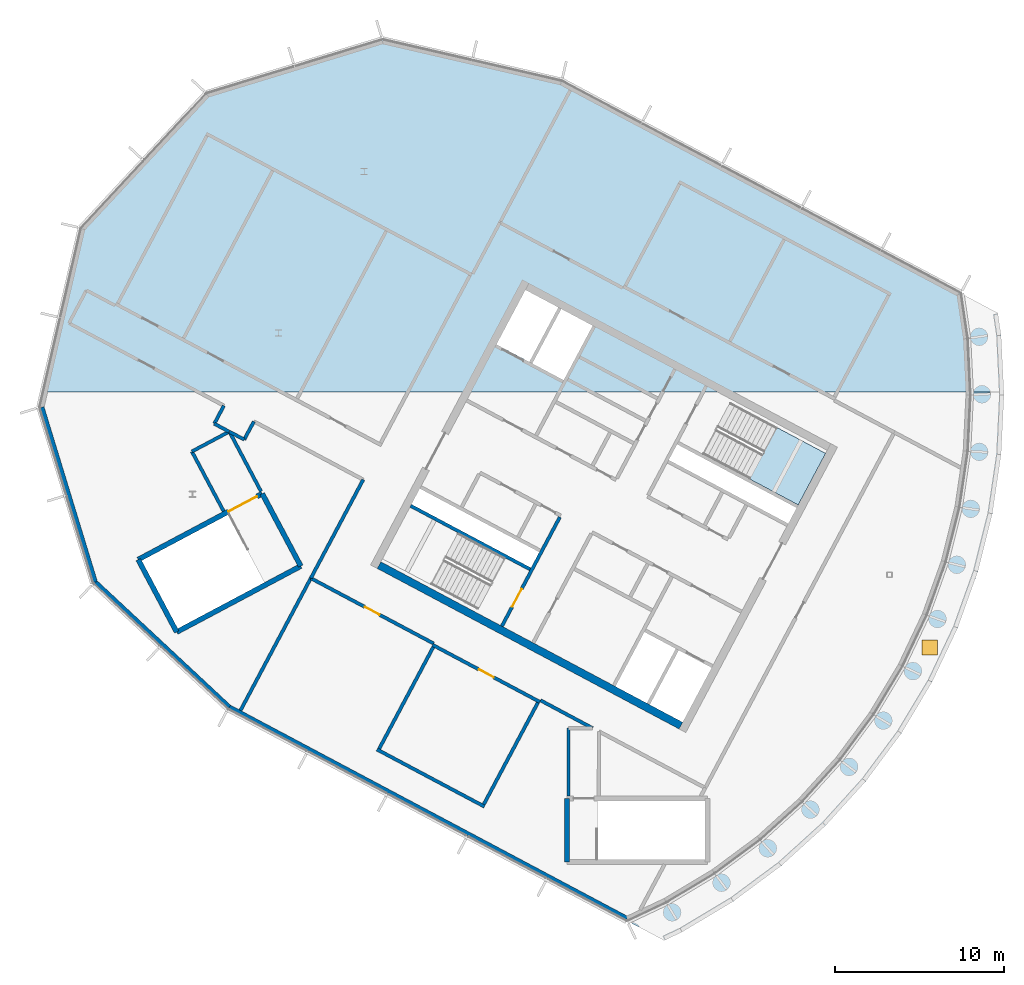
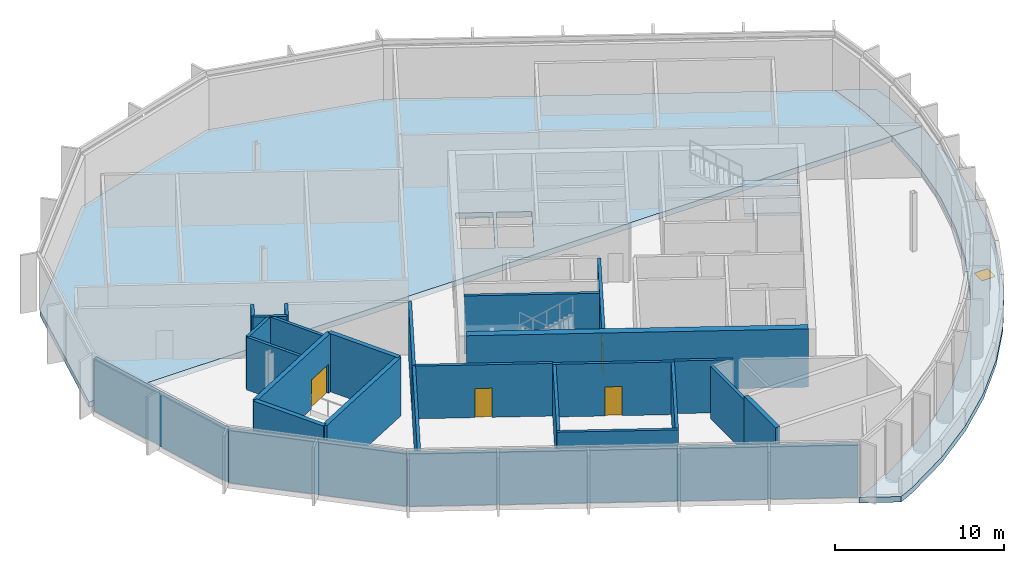
# One storey, part 5 of 13: 27 walls, 5 doors, 4 slabs, 5 openings, 1 element without a shape of its own.
"""IFC4 building model written with IfcOpenShell, lengths in metres."""

import ifcopenshell
import ifcopenshell.guid

model = None  # the IFC model being written
_history = None  # IfcOwnerHistory: only IFC2X3 demands one
_inside = {}  # id of a spatial element -> (the spatial element, [elements in it])
_under = {}  # id of a project, library or spatial element -> (it, [spatial elements below it])
_declared = {}  # id of a project -> (the project, [libraries it declares])
_typed = {}  # id of a type object -> (the type object, [elements of that type])
_made_of = {}  # id of a material, layer set ... -> (it, [elements and type objects made of it])


def new_model(schema):
    """Start an empty IFC model of exactly this schema.

    Asked for "IFC4X3", IfcOpenShell would pick the latest addendum, in which some entities
    have other attributes; the version numbers below select the first issue.
    IFC2X3 requires an IfcOwnerHistory on every rooted entity: one is made here for all.
    """
    global model, _history
    if schema == "IFC4X3":
        model = ifcopenshell.file(schema_version=(4, 3, 0, 0))
    else:
        model = ifcopenshell.file(schema=schema)
    _inside.clear()
    _under.clear()
    _declared.clear()
    _typed.clear()
    _made_of.clear()
    _history = None
    if model.schema == "IFC2X3":
        org = make("IfcOrganization", Name="unknown")
        user = make(
            "IfcPersonAndOrganization",
            ThePerson=make("IfcPerson", FamilyName="unknown"),
            TheOrganization=org,
        )
        app = make(
            "IfcApplication",
            ApplicationDeveloper=org,
            Version="unknown",
            ApplicationFullName="unknown",
            ApplicationIdentifier="unknown",
        )
        _history = make(
            "IfcOwnerHistory",
            OwningUser=user,
            OwningApplication=app,
            ChangeAction="ADDED",
            CreationDate=0,
        )
    return model


def make(cls, **values):
    """One entity of the class cls with the attributes given. An attribute that is None is left unset."""
    return model.create_entity(
        cls, **{name: value for name, value in values.items() if value is not None}
    )


def rooted(cls, **values):
    """An entity with a GlobalId (a new one), such as an element, a storey or a relation."""
    return make(cls, GlobalId=ifcopenshell.guid.new(), OwnerHistory=_history, **values)


def si_unit(unit_type, name, prefix=None):
    """IfcSIUnit, for example si_unit("LENGTHUNIT", "METRE", prefix="MILLI")."""
    return make("IfcSIUnit", UnitType=unit_type, Prefix=prefix, Name=name)


def assignment(units):
    """IfcUnitAssignment: the units of a project."""
    return None if units is None else make("IfcUnitAssignment", Units=units)


def point(xyz):
    """IfcCartesianPoint."""
    return None if xyz is None else make("IfcCartesianPoint", Coordinates=xyz)


def direction(xyz):
    """IfcDirection."""
    return None if xyz is None else make("IfcDirection", DirectionRatios=xyz)


def frame(location, z_axis=None, x_axis=None):
    """IfcAxis2Placement3D, a coordinate frame: its origin and axes. An axis left out is left unset."""
    return make(
        "IfcAxis2Placement3D",
        Location=point(location),
        Axis=direction(z_axis),
        RefDirection=direction(x_axis),
    )


def frame_2d(location, x_axis=None):
    """IfcAxis2Placement2D, a coordinate frame in the plane: its origin and x axis."""
    return make(
        "IfcAxis2Placement2D", Location=point(location), RefDirection=direction(x_axis)
    )


def origin():
    """The frame at (0, 0, 0) with its axes left unset."""
    return frame((0.0, 0.0, 0.0))


def origin_2d():
    """The frame at (0, 0) in the plane with its x axis left unset."""
    return frame_2d((0.0, 0.0))


def place(relative_to, where):
    """IfcLocalPlacement: puts the frame where relative to a parent placement (None: the world)."""
    return make(
        "IfcLocalPlacement", PlacementRelTo=relative_to, RelativePlacement=where
    )


def context(
    kind, dimensions, precision=None, world=None, true_north=None, identifier=None
):
    """IfcGeometricRepresentationContext, for example the 3D "Model" context."""
    return make(
        "IfcGeometricRepresentationContext",
        ContextIdentifier=identifier,
        ContextType=kind,
        CoordinateSpaceDimension=dimensions,
        Precision=precision,
        WorldCoordinateSystem=world,
        TrueNorth=true_north,
    )


def subcontext(parent, identifier, kind, view, scale=None):
    """IfcGeometricRepresentationSubContext, for example "Body" below "Model"."""
    return make(
        "IfcGeometricRepresentationSubContext",
        ContextIdentifier=identifier,
        ContextType=kind,
        ParentContext=parent,
        TargetScale=scale,
        TargetView=view,
    )


def project(units=None, contexts=None):
    """IfcProject with its units and contexts."""
    return rooted(
        "IfcProject",
        Name="project",
        RepresentationContexts=contexts,
        UnitsInContext=assignment(units),
    )


def spatial(cls, under=None, at=None, **own):
    """A site, building, storey or space (cls), placed at a placement, below another one or the project."""
    s = rooted(cls, ObjectPlacement=at, **own)
    if under is not None:
        _under.setdefault(under.id(), (under, []))[1].append(s)
    return s


def polyline(points):
    """IfcPolyline through the points."""
    return make("IfcPolyline", Points=[point(p) for p in points])


def profile(cls, at=None, kind="AREA", **sizes):
    """A parametric profile (cls). Its sizes go by their IFC names, for example OverallWidth=200.0."""
    return make(cls, ProfileType=kind, Position=at, **sizes)


def rectangle(**sizes):
    """IfcRectangleProfileDef."""
    return profile("IfcRectangleProfileDef", **sizes)


def outline(outer, holes=None, kind="AREA"):
    """IfcArbitraryClosedProfileDef: a profile drawn as a closed curve; with holes, ...WithVoids."""
    if holes is None:
        return make("IfcArbitraryClosedProfileDef", ProfileType=kind, OuterCurve=outer)
    return make(
        "IfcArbitraryProfileDefWithVoids",
        ProfileType=kind,
        OuterCurve=outer,
        InnerCurves=holes,
    )


def extrude(swept, where, along, depth):
    """IfcExtrudedAreaSolid: the profile swept, set in the frame where, extruded along a direction by depth."""
    return make(
        "IfcExtrudedAreaSolid",
        SweptArea=swept,
        Position=where,
        ExtrudedDirection=direction(along),
        Depth=depth,
    )


def shape(context_of_items, identifier, shape_type, items):
    """IfcShapeRepresentation: the items that make up one representation, for example the "Body"."""
    return make(
        "IfcShapeRepresentation",
        ContextOfItems=context_of_items,
        RepresentationIdentifier=identifier,
        RepresentationType=shape_type,
        Items=items,
    )


def material(Name=None, Category=None):
    """IfcMaterial."""
    return make("IfcMaterial", Name=Name, Category=Category)


def layer(
    of_material, thickness, ventilated=None, Name=None, Category=None, Priority=None
):
    """IfcMaterialLayer: one layer of a wall or slab, of a material (None: an air gap)."""
    return make(
        "IfcMaterialLayer",
        Material=of_material,
        LayerThickness=thickness,
        IsVentilated=ventilated,
        Name=Name,
        Category=Category,
        Priority=Priority,
    )


def layer_set(layers, Name=None):
    """IfcMaterialLayerSet."""
    return make("IfcMaterialLayerSet", MaterialLayers=layers, LayerSetName=Name)


def made_of(thing, what):
    """Note that an element or type object is made of a material, layer set ...; save() writes the relation."""
    if what is not None:
        _made_of.setdefault(what.id(), (what, []))[1].append(thing)
    return thing


def type_object(cls, material=None, **own):
    """A type object (cls), such as IfcWallType, which elements share."""
    return made_of(rooted(cls, **own), material)


def element(
    cls,
    number,
    at=None,
    inside=None,
    cuts=None,
    type_object=None,
    material=None,
    context=None,
    identifier="Body",
    shape_type=None,
    held_by="IfcProductDefinitionShape",
    body=None,
    shapes=None,
    **own,
):
    """One element of the class cls, such as IfcWall. Its Tag is "e" and its number.

    at: its placement. inside: the storey or other place that contains it. cuts: it is an
    opening in that element (IfcRelVoidsElement). A single representation is given by context,
    identifier, shape_type and body (its items); several are given by shapes. held_by: the class
    of the entity that holds the representations. save() writes the other relations.
    """
    e = rooted(cls, Tag="e%d" % number, ObjectPlacement=at, **own)
    if body is not None:
        shapes = [shape(context, identifier, shape_type, body)]
    if shapes is not None:
        e.Representation = make(held_by, Representations=shapes)
    if inside is not None:
        _inside.setdefault(inside.id(), (inside, []))[1].append(e)
    if cuts is not None:
        rooted(
            "IfcRelVoidsElement", RelatingBuildingElement=cuts, RelatedOpeningElement=e
        )
    if type_object is not None:
        _typed.setdefault(type_object.id(), (type_object, []))[1].append(e)
    return made_of(e, material)


def fill(opening, filler):
    """IfcRelFillsElement: the door or window that sits in an opening."""
    return rooted(
        "IfcRelFillsElement",
        RelatingOpeningElement=opening,
        RelatedBuildingElement=filler,
    )


def aggregate(whole, parts):
    """IfcRelAggregates: a whole, such as a stair, and the parts it consists of."""
    return rooted("IfcRelAggregates", RelatingObject=whole, RelatedObjects=parts)


def save(model, path):
    """Write the relations noted so far, then the file.

    IfcRelAggregates (storeys below a building ...), IfcRelContainedInSpatialStructure (elements
    in a storey), IfcRelDefinesByType, IfcRelAssociatesMaterial and IfcRelDeclares: one each for
    every whole, place, type object, material and project.
    """
    for whole, parts in _under.values():
        aggregate(whole, parts)
    for where, things in _inside.values():
        rooted(
            "IfcRelContainedInSpatialStructure",
            RelatedElements=things,
            RelatingStructure=where,
        )
    for kind, things in _typed.values():
        rooted("IfcRelDefinesByType", RelatedObjects=things, RelatingType=kind)
    for what, things in _made_of.values():
        rooted("IfcRelAssociatesMaterial", RelatedObjects=things, RelatingMaterial=what)
    for by, libraries in _declared.values():
        rooted("IfcRelDeclares", RelatingContext=by, RelatedDefinitions=libraries)
    model.write(path)


model = new_model("IFC4")

# Units and contexts
model_context = context("Model", 3, precision=1e-05, world=origin(), true_north=direction((0.0, 1.0)))
body_context = subcontext(model_context, "Body", "Model", "MODEL_VIEW")
ifc_project = project(units=[si_unit("LENGTHUNIT", "METRE"), si_unit("AREAUNIT", "SQUARE_METRE"), si_unit("VOLUMEUNIT", "CUBIC_METRE"), si_unit("PLANEANGLEUNIT", "RADIAN"), si_unit("MASSUNIT", "GRAM", prefix="KILO")], contexts=[model_context])

# Site, building, storey
site_placement = place(None, origin())
site = spatial("IfcSite", under=ifc_project, at=site_placement, CompositionType="ELEMENT")
building_placement = place(site_placement, origin())
building = spatial("IfcBuilding", under=site, at=building_placement, Name="Cormorant Relay Tower", CompositionType="ELEMENT")
storey_placement = place(building_placement, frame((0.0, 0.0, 353.39990234375)))
storey = spatial("IfcBuildingStorey", under=building, at=storey_placement, Name="C7", CompositionType="ELEMENT", Elevation=353.39990234375)

# Slab
ifc_material_1 = material(Name="Concrete 40 MPa", Category="concrete")
ifc_layer_1 = layer(ifc_material_1, 0.400146484375)
ifc_layer_set_1 = layer_set([ifc_layer_1], Name="Crown floor slab 400")
slab_type_1 = type_object("IfcSlabType", Name="Crown floor slab 400", PredefinedType="FLOOR", material=ifc_layer_set_1)
slab_1_placement = place(storey_placement, frame((0.0, 0.0, -0.400146484375)))
element("IfcSlab", 1, at=slab_1_placement, inside=storey, type_object=slab_type_1, Name="Crown floor C7", PredefinedType="FLOOR", context=body_context, shape_type="SweptSolid", body=[
    extrude(outline(polyline([(-60.510498046875, 21.300048828125), (-5.7412109375, 21.300048828125), (-5.896484375, 24.458740234375), (-6.29248046875, 27.1298828125), (-29.873779296875, 39.668212890625), (-40.465576171875, 42.11328125), (-50.86083984375, 38.935302734375), (-58.2744140625, 30.985107421875), (-60.510498046875, 21.300048828125)]), holes=[polyline([(-29.75732421875, 21.99462890625), (-28.043701171875, 25.217529296875), (-29.89794921875, 26.203369140625), (-31.611572265625, 22.980712890625), (-29.75732421875, 21.99462890625)]), polyline([(-33.73046875, 24.107421875), (-31.7880859375, 23.074462890625), (-30.074462890625, 26.29736328125), (-32.01708984375, 27.330078125), (-33.73046875, 24.107421875)])]), origin(), (0.0, 0.0, 1.0), 0.400146484375),
])

# Slab, opening, door
ifc_material_2 = material(Name="Concrete 40 MPa", Category="concrete")
ifc_layer_2 = layer(ifc_material_2, 0.400146484375)
ifc_layer_set_2 = layer_set([ifc_layer_2], Name="Crown terrace roof slab 400")
slab_type_2 = type_object("IfcSlabType", Name="Crown terrace roof slab 400", PredefinedType="ROOF", material=ifc_layer_set_2)
slab_2_placement = place(storey_placement, frame((0.0, 0.0, -0.400146484375)))
slab_2 = element("IfcSlab", 2, at=slab_2_placement, inside=storey, type_object=slab_type_2, Name="Roof C6", PredefinedType="ROOF", context=body_context, shape_type="SweptSolid", body=[
    extrude(outline(polyline([(-23.8154296875, -11.12109375), (-22.762451171875, -10.622802734375), (-19.732177734375, -8.806640625), (-16.89453125, -6.7021484375), (-14.27685546875, -4.32958984375), (-11.904296875, -1.7119140625), (-9.7998046875, 1.125732421875), (-7.9833984375, 4.156005859375), (-6.472900390625, 7.349609375), (-5.28271484375, 10.676025390625), (-4.42431640625, 14.10302734375), (-3.906005859375, 17.59765625), (-3.732666015625, 21.126220703125), (-3.7412109375, 21.300048828125), (-5.740234375, 21.300048828125), (-5.731689453125, 21.126220703125), (-5.731689453125, 21.126220703125), (-5.8955078125, 17.793701171875), (-5.8955078125, 17.79345703125), (-6.385009765625, 14.492919921875), (-6.385009765625, 14.492919921875), (-7.19580078125, 11.25634765625), (-7.19580078125, 11.256103515625), (-8.31982421875, 8.114501953125), (-8.31982421875, 8.114501953125), (-9.746337890625, 5.098388671875), (-9.74658203125, 5.09814453125), (-11.4619140625, 2.236328125), (-11.4619140625, 2.236083984375), (-13.449462890625, -0.443603515625), (-13.449462890625, -0.44384765625), (-15.690185546875, -2.916015625), (-15.690185546875, -2.916259765625), (-18.16259765625, -5.156982421875), (-18.16259765625, -5.156982421875), (-20.8427734375, -7.14453125), (-20.8427734375, -7.14453125), (-23.70458984375, -8.860107421875), (-23.70458984375, -8.860107421875), (-26.013916015625, -9.9521484375), (-23.8154296875, -11.12109375)])), origin(), (0.0, 0.0, 1.0), 0.400146484375),
])
opening_1_placement = place(slab_2_placement, frame((-8.1220703125, 6.197021484375, 0.0)))
opening_1 = element("IfcOpeningElement", 3, at=opening_1_placement, cuts=slab_2, Name="Opening CRD3-006", PredefinedType="OPENING", context=body_context, shape_type="SweptSolid", body=[
    extrude(rectangle(XDim=0.89990234375, YDim=0.89990234375, at=origin_2d()), origin(), (0.0, 0.0, 1.0), 0.400146484375),
])
ifc_material_3 = material(Name="Aluminium hatch", Category="aluminium")
door_type_1 = type_object("IfcDoorType", Name="Roof hatch 900 x 900", OperationType="SINGLE_SWING_LEFT", PredefinedType="TRAPDOOR", material=ifc_material_3)
door_1_placement = place(opening_1_placement, frame((0.0, 0.0, 0.35009765625)))
door_1 = element("IfcDoor", 4, at=door_1_placement, inside=storey, type_object=door_type_1, Name="Maintenance roof hatch", OperationType="SINGLE_SWING_LEFT", OverallHeight=0.89990234375, OverallWidth=0.89990234375, PredefinedType="TRAPDOOR", context=body_context, shape_type="SweptSolid", body=[
    extrude(rectangle(XDim=0.89990234375, YDim=0.89990234375, at=origin_2d()), origin(), (0.0, 0.0, 1.0), 0.050048828125),
])
fill(opening_1, door_1)

# Slab
slab_3_placement = place(storey_placement, frame((0.0, 0.0, -0.400146484375)))
element("IfcSlab", 5, at=slab_3_placement, inside=storey, type_object=slab_type_2, Name="Roof C6", PredefinedType="ROOF", context=body_context, shape_type="SweptSolid", body=[
    extrude(outline(polyline([(-5.740234375, 21.300048828125), (-3.7412109375, 21.300048828125), (-3.906005859375, 24.65478515625), (-4.10009765625, 25.964111328125), (-6.29150390625, 27.129150390625), (-5.8955078125, 24.458984375), (-5.8955078125, 24.458984375), (-5.740234375, 21.300048828125)])), origin(), (0.0, 0.0, 1.0), 0.400146484375),
])

# Stair, slab
ifc_material_4 = material(Name="Concrete 40 MPa", Category="concrete")
stair_type = type_object("IfcStairType", Name="Exit stair 1500", PredefinedType="HALF_TURN_STAIR", material=ifc_material_4)
stair_placement = place(storey_placement, origin())
stair = element("IfcStair", 6, at=stair_placement, inside=storey, type_object=stair_type, Name="C7 Stair", PredefinedType="HALF_TURN_STAIR")
ifc_material_5 = material(Name="Concrete 40 MPa", Category="concrete")
ifc_layer_3 = layer(ifc_material_5, 0.199951171875)
ifc_layer_set_3 = layer_set([ifc_layer_3], Name="Exit stair landing 200")
slab_type_3 = type_object("IfcSlabType", Name="Exit stair landing 200", PredefinedType="LANDING", material=ifc_layer_set_3)
slab_4_placement = place(storey_placement, frame((0.0, 0.0, 1.900146484375)))
slab_4 = element("IfcSlab", 7, at=slab_4_placement, type_object=slab_type_3, Name="A1 landing 1", PredefinedType="LANDING", context=body_context, shape_type="SweptSolid", body=[
    extrude(outline(polyline([(-18.7822265625, 16.1591796875), (-15.89501953125, 14.6240234375), (-14.275390625, 17.670166015625), (-17.16259765625, 19.205322265625), (-18.7822265625, 16.1591796875)])), origin(), (0.0, 0.0, 1.0), 0.199951171875),
])
aggregate(stair, [slab_4])

# Wall, opening, door
ifc_material_6 = material(Name="Concrete 50 MPa", Category="concrete")
ifc_layer_4 = layer(ifc_material_6, 0.199951171875)
ifc_layer_set_4 = layer_set([ifc_layer_4], Name="Core shaft wall 200")
wall_type_1 = type_object("IfcWallType", Name="Core shaft wall 200", PredefinedType="SHEAR", material=ifc_layer_set_4)
wall_1_placement = place(storey_placement, frame((-29.982421875, 13.9033203125, 0.0), z_axis=(0.0, 0.0, 1.0), x_axis=(-0.469454336211, -0.882956752176, 0.0)))
wall_1 = element("IfcWall", 8, at=wall_1_placement, inside=storey, type_object=wall_type_1, Name="C7 core A shaft wall", PredefinedType="SHEAR", context=body_context, shape_type="SweptSolid", body=[
    extrude(rectangle(XDim=7.300048828125, YDim=0.199951171875, at=frame_2d((3.64990234375, 0.0))), origin(), (0.0, 0.0, 1.0), 4.2001953125),
])
opening_2_placement = place(wall_1_placement, frame((4.800048828125, 0.0, 0.0)))
opening_2 = element("IfcOpeningElement", 9, at=opening_2_placement, cuts=wall_1, Name="Opening CDB-045", PredefinedType="OPENING", context=body_context, shape_type="SweptSolid", body=[
    extrude(rectangle(XDim=1.199951171875, YDim=2.10009765625, at=frame_2d((0.60009765625, 1.050048828125))), frame((0.0, 0.10986328125, 0.0), z_axis=(0.0, -1.0, 0.0), x_axis=(1.0, 0.0, 0.0)), (0.0, 0.0, 1.0), 0.219970703125),
])
ifc_material_7 = material(Name="Steel fire door", Category="steel")
door_type_2 = type_object("IfcDoorType", Name="Core stair door 1200x2100", OperationType="SINGLE_SWING_LEFT", PredefinedType="DOOR", material=ifc_material_7)
door_2_placement = place(opening_2_placement, frame((1.199951171875, 0.0, 0.0), z_axis=(0.0, 0.0, 1.0), x_axis=(-1.0, 0.0, 0.0)))
door_2 = element("IfcDoor", 10, at=door_2_placement, inside=storey, type_object=door_type_2, Name="Core stair door 1200x2100", OperationType="SINGLE_SWING_RIGHT", OverallHeight=2.10009765625, OverallWidth=1.199951171875, PredefinedType="DOOR", context=body_context, shape_type="SweptSolid", body=[
    extrude(rectangle(XDim=1.199951171875, YDim=2.10009765625, at=frame_2d((0.60009765625, 1.050048828125))), frame((0.0, 0.02490234375, 0.0), z_axis=(0.0, -1.0, 0.0), x_axis=(1.0, 0.0, 0.0)), (0.0, 0.0, 1.0), 0.050048828125),
])
fill(opening_2, door_2)

# Walls
wall_2_placement = place(storey_placement, frame((-31.7373046875, 10.815673828125, 0.0), z_axis=(0.0, 0.0, 1.0), x_axis=(-0.882940221191, 0.469485426614, 0.0)))
element("IfcWall", 11, at=wall_2_placement, inside=storey, type_object=wall_type_1, Name="C7 core A shaft wall", PredefinedType="SHEAR", context=body_context, shape_type="SweptSolid", body=[
    extrude(rectangle(XDim=8.0, YDim=0.199951171875, at=frame_2d((4.0, 0.0))), origin(), (0.0, 0.0, 1.0), 4.2001953125),
])
ifc_material_8 = material(Name="Concrete 50 MPa", Category="concrete")
ifc_layer_5 = layer(ifc_material_8, 0.449951171875)
ifc_layer_set_5 = layer_set([ifc_layer_5], Name="Core wall 450")
wall_type_2 = type_object("IfcWallType", Name="Core wall 450", PredefinedType="SHEAR", material=ifc_layer_set_5)
wall_3_placement = place(storey_placement, frame((-22.83154296875, 1.578369140625, 0.0), z_axis=(0.0, 0.0, 1.0), x_axis=(-0.88294509198, 0.469476266226, 0.0)))
element("IfcWall", 12, at=wall_3_placement, inside=storey, type_object=wall_type_2, Name="C7 core A wall", PredefinedType="SHEAR", context=body_context, shape_type="SweptSolid", body=[
    extrude(rectangle(XDim=20.199951171875, YDim=0.449951171875, at=frame_2d((10.10009765625, 0.0))), origin(), (0.0, 0.0, 1.0), 4.2001953125),
])

# Wall, opening, door
ifc_material_9 = material(Name="Concrete 30 MPa block wall", Category="concrete")
ifc_layer_6 = layer(ifc_material_9, 0.199951171875)
ifc_layer_set_6 = layer_set([ifc_layer_6], Name="Crown plant room wall 200")
wall_type_3 = type_object("IfcWallType", Name="Crown plant room wall 200", PredefinedType="PARTITIONING", material=ifc_layer_set_6)
wall_4_placement = place(storey_placement, frame((-31.15087890625, 2.972412109375, 0.0), z_axis=(0.0, 0.0, 1.0), x_axis=(-0.882950149473, 0.469466754463, 0.0)))
wall_4 = element("IfcWall", 13, at=wall_4_placement, inside=storey, type_object=wall_type_3, Name="Plant room wall", PredefinedType="PARTITIONING", context=body_context, shape_type="SweptSolid", body=[
    extrude(rectangle(XDim=7.199951171875, YDim=0.199951171875, at=frame_2d((3.60009765625, 0.0))), origin(), (0.0, 0.0, 1.0), 3.7998046875),
])
opening_3_placement = place(wall_4_placement, frame((3.10009765625, 0.0, 0.0)))
opening_3 = element("IfcOpeningElement", 14, at=opening_3_placement, cuts=wall_4, Name="Opening CRD1-001", PredefinedType="OPENING", context=body_context, shape_type="SweptSolid", body=[
    extrude(rectangle(XDim=1.0, YDim=2.10009765625, at=frame_2d((0.5, 1.050048828125))), frame((0.0, 0.10986328125, 0.0), z_axis=(0.0, -1.0, 0.0), x_axis=(1.0, 0.0, 0.0)), (0.0, 0.0, 1.0), 0.219970703125),
])
ifc_material_10 = material(Name="Galvanised sheet steel ASTM A653 framed door leaf", Category="steel")
door_type_3 = type_object("IfcDoorType", Name="Crown door single 1000", OperationType="SINGLE_SWING_LEFT", PredefinedType="DOOR", material=ifc_material_10)
door_3_placement = place(opening_3_placement, origin())
door_3 = element("IfcDoor", 15, at=door_3_placement, inside=storey, type_object=door_type_3, Name="Cooling tower pump room door", OperationType="SINGLE_SWING_LEFT", OverallHeight=2.10009765625, OverallWidth=1.0, PredefinedType="DOOR", context=body_context, shape_type="SweptSolid", body=[
    extrude(rectangle(XDim=1.0, YDim=2.10009765625, at=frame_2d((0.5, 1.050048828125))), frame((0.0, 0.02490234375, 0.0), z_axis=(0.0, -1.0, 0.0), x_axis=(1.0, 0.0, 0.0)), (0.0, 0.0, 1.0), 0.050048828125),
])
fill(opening_3, door_3)

# Walls
wall_5_placement = place(storey_placement, frame((-34.43701171875, -3.208251953125, 0.0), z_axis=(0.0, 0.0, 1.0), x_axis=(-0.882957622595, 0.46945269911, 0.0)))
element("IfcWall", 16, at=wall_5_placement, inside=storey, type_object=wall_type_3, Name="Plant room wall", PredefinedType="PARTITIONING", context=body_context, shape_type="SweptSolid", body=[
    extrude(rectangle(XDim=7.2001953125, YDim=0.199951171875, at=frame_2d((3.60009765625, 0.0))), origin(), (0.0, 0.0, 1.0), 3.7998046875),
])
for number, where, z_axis, x_axis, name in (
    (17, (-31.2861328125, 2.930908203125, 0.0), (0.0, 0.0, 1.0), (-0.469477207229, -0.882944591632, 0.0), "Plant room wall"),
    (18, (-37.466796875, 6.21728515625, 0.0), (0.0, 0.0, 1.0), (-0.469477207229, -0.882944591632, 0.0), "Plant room wall"),
):
    element("IfcWall", number, at=place(storey_placement, frame(where, z_axis=z_axis, x_axis=x_axis)), inside=storey, type_object=wall_type_3, Name=name, PredefinedType="PARTITIONING", context=body_context, shape_type="SweptSolid", body=[
        extrude(rectangle(XDim=6.7998046875, YDim=0.199951171875, at=frame_2d((3.39990234375, 0.0))), origin(), (0.0, 0.0, 1.0), 3.7998046875),
    ])
wall_6_placement = place(storey_placement, frame((-44.701171875, 10.29052734375, 0.0), z_axis=(0.0, 0.0, 1.0), x_axis=(0.469444770229, 0.882961838193, 0.0)))
element("IfcWall", 19, at=wall_6_placement, inside=storey, type_object=wall_type_3, Name="Plant room wall", PredefinedType="PARTITIONING", context=body_context, shape_type="SweptSolid", body=[
    extrude(rectangle(XDim=6.595947265625, YDim=0.199951171875, at=frame_2d((3.2978515625, 0.0))), origin(), (0.0, 0.0, 1.0), 3.7998046875),
])
wall_7_placement = place(storey_placement, frame((-48.06591796875, 19.554443359375, 0.0), z_axis=(0.0, 0.0, 1.0), x_axis=(-0.472372077366, -0.881399240143, 0.0)))
element("IfcWall", 20, at=wall_7_placement, inside=storey, type_object=wall_type_3, Name="Plant room wall", PredefinedType="PARTITIONING", context=body_context, shape_type="SweptSolid", body=[
    extrude(rectangle(XDim=1.214111328125, YDim=0.199951171875, at=frame_2d((0.60693359375, 0.0))), origin(), (0.0, 0.0, 1.0), 3.7998046875),
])
wall_8_placement = place(storey_placement, frame((-48.639404296875, 18.484375, 0.0), z_axis=(0.0, 0.0, 1.0), x_axis=(-0.883070878111, 0.469239623467, 0.0)))
element("IfcWall", 21, at=wall_8_placement, inside=storey, type_object=wall_type_3, Name="Plant room wall", PredefinedType="PARTITIONING", context=body_context, shape_type="SweptSolid", body=[
    extrude(rectangle(XDim=0.987060546875, YDim=0.199951171875, at=frame_2d((0.49365234375, 0.0))), origin(), (0.0, 0.0, 1.0), 3.7998046875),
])
wall_9_placement = place(storey_placement, frame((-49.510986328125, 18.947509765625, 0.0), z_axis=(0.0, 0.0, 1.0), x_axis=(0.467853974405, -0.883805781059, 0.0)))
element("IfcWall", 22, at=wall_9_placement, inside=storey, type_object=wall_type_3, Name="Plant room wall", PredefinedType="PARTITIONING", context=body_context, shape_type="SweptSolid", body=[
    extrude(rectangle(XDim=3.98876953125, YDim=0.199951171875, at=frame_2d((1.994384765625, 0.0))), origin(), (0.0, 0.0, 1.0), 3.7998046875),
])
wall_10_placement = place(storey_placement, frame((-49.851806640625, 14.248291015625, 0.0), z_axis=(0.0, 0.0, 1.0), x_axis=(-0.469510728702, 0.882926766858, 0.0)))
element("IfcWall", 23, at=wall_10_placement, inside=storey, type_object=wall_type_3, Name="Plant room wall", PredefinedType="PARTITIONING", context=body_context, shape_type="SweptSolid", body=[
    extrude(rectangle(XDim=3.999755859375, YDim=0.199951171875, at=frame_2d((2.0, 0.0))), origin(), (0.0, 0.0, 1.0), 3.7998046875),
])
wall_11_placement = place(storey_placement, frame((-51.729736328125, 17.77978515625, 0.0), z_axis=(0.0, 0.0, 1.0), x_axis=(0.882878437933, 0.469601601182, 0.0)))
element("IfcWall", 24, at=wall_11_placement, inside=storey, type_object=wall_type_3, Name="Plant room wall", PredefinedType="PARTITIONING", context=body_context, shape_type="SweptSolid", body=[
    extrude(rectangle(XDim=2.492431640625, YDim=0.199951171875, at=frame_2d((1.24609375, 0.0))), origin(), (0.0, 0.0, 1.0), 3.7998046875),
])
wall_12_placement = place(storey_placement, frame((-49.529296875, 18.9501953125, 0.0), z_axis=(0.0, 0.0, 1.0), x_axis=(-0.880014039158, 0.474947671733, 0.0)))
element("IfcWall", 25, at=wall_12_placement, inside=storey, type_object=wall_type_3, Name="Plant room wall", PredefinedType="PARTITIONING", context=body_context, shape_type="SweptSolid", body=[
    extrude(rectangle(XDim=0.99560546875, YDim=0.199951171875, at=frame_2d((0.497802734375, 0.0))), origin(), (0.0, 0.0, 1.0), 3.7998046875),
])
wall_13_placement = place(storey_placement, frame((-50.405517578125, 19.423095703125, 0.0), z_axis=(0.0, 0.0, 1.0), x_axis=(0.469425611223, 0.882972024204, 0.0)))
element("IfcWall", 26, at=wall_13_placement, inside=storey, type_object=wall_type_3, Name="Plant room wall", PredefinedType="PARTITIONING", context=body_context, shape_type="SweptSolid", body=[
    extrude(rectangle(XDim=1.210205078125, YDim=0.199951171875, at=frame_2d((0.60498046875, 0.0))), origin(), (0.0, 0.0, 1.0), 3.7998046875),
])
wall_14_placement = place(storey_placement, frame((-29.474853515625, -2.574951171875, 0.0), z_axis=(0.0, 0.0, 1.0), x_axis=(-6.1038882e-05, 0.999999998137, 0.0)))
element("IfcWall", 27, at=wall_14_placement, inside=storey, type_object=wall_type_3, Name="Plant room wall", PredefinedType="PARTITIONING", context=body_context, shape_type="SweptSolid", body=[
    extrude(rectangle(XDim=3.999755859375, YDim=0.199951171875, at=frame_2d((2.0, 0.0))), origin(), (0.0, 0.0, 1.0), 3.7998046875),
])
wall_15_placement = place(storey_placement, frame((-28.043701171875, 1.425048828125, 0.0), z_axis=(0.0, 0.0, 1.0), x_axis=(-0.881938187053, 0.471365075305, 0.0)))
element("IfcWall", 28, at=wall_15_placement, inside=storey, type_object=wall_type_3, Name="Plant room wall", PredefinedType="PARTITIONING", context=body_context, shape_type="SweptSolid", body=[
    extrude(rectangle(XDim=3.489990234375, YDim=0.199951171875, at=frame_2d((1.7451171875, 0.0))), origin(), (0.0, 0.0, 1.0), 3.7998046875),
])

# Wall, opening, door
wall_16_placement = place(storey_placement, frame((-37.443603515625, 6.431396484375, 0.0), z_axis=(0.0, 0.0, 1.0), x_axis=(-0.88293683547, 0.469491793934, 0.0)))
wall_16 = element("IfcWall", 29, at=wall_16_placement, inside=storey, type_object=wall_type_3, Name="Plant room wall", PredefinedType="PARTITIONING", context=body_context, shape_type="SweptSolid", body=[
    extrude(rectangle(XDim=8.2197265625, YDim=0.199951171875, at=frame_2d((4.10986328125, 0.0))), origin(), (0.0, 0.0, 1.0), 3.7998046875),
])
opening_4_placement = place(wall_16_placement, frame((3.610107421875, 0.0, 0.0)))
opening_4 = element("IfcOpeningElement", 30, at=opening_4_placement, cuts=wall_16, Name="Opening CRD1-009", PredefinedType="OPENING", context=body_context, shape_type="SweptSolid", body=[
    extrude(rectangle(XDim=1.0, YDim=2.10009765625, at=frame_2d((0.5, 1.050048828125))), frame((0.0, 0.10986328125, 0.0), z_axis=(0.0, -1.0, 0.0), x_axis=(1.0, 0.0, 0.0)), (0.0, 0.0, 1.0), 0.219970703125),
])
door_4_placement = place(opening_4_placement, origin())
door_4 = element("IfcDoor", 31, at=door_4_placement, inside=storey, type_object=door_type_3, Name="Network operations centre door", OperationType="SINGLE_SWING_LEFT", OverallHeight=2.10009765625, OverallWidth=1.0, PredefinedType="DOOR", context=body_context, shape_type="SweptSolid", body=[
    extrude(rectangle(XDim=1.0, YDim=2.10009765625, at=frame_2d((0.5, 1.050048828125))), frame((0.0, 0.02490234375, 0.0), z_axis=(0.0, -1.0, 0.0), x_axis=(1.0, 0.0, 0.0)), (0.0, 0.0, 1.0), 0.050048828125),
])
fill(opening_4, door_4)

# Walls
wall_17_placement = place(storey_placement, frame((-44.69287109375, 10.30859375, 0.0), z_axis=(0.0, 0.0, 1.0), x_axis=(-0.469467804358, -0.88294959124, 0.0)))
element("IfcWall", 32, at=wall_17_placement, inside=storey, type_object=wall_type_3, Name="Plant room wall", PredefinedType="PARTITIONING", context=body_context, shape_type="SweptSolid", body=[
    extrude(rectangle(XDim=8.86962890625, YDim=0.199951171875, at=frame_2d((4.434814453125, 0.0))), origin(), (0.0, 0.0, 1.0), 3.7998046875),
])
ifc_material_11 = material(Name="Bronze cladding on Concrete 30 MPa block wall", Category="concrete")
ifc_layer_7 = layer(ifc_material_11, 0.25)
ifc_layer_set_7 = layer_set([ifc_layer_7], Name="Crown wall 250")
wall_type_4 = type_object("IfcWallType", Name="Crown wall 250", PredefinedType="STANDARD", material=ifc_layer_set_7)
wall_18_placement = place(storey_placement, frame((-57.431884765625, 10.06640625, 0.0), z_axis=(0.0, 0.0, 1.0), x_axis=(-0.292379862982, 0.956302261695, 0.0)))
element("IfcWall", 33, at=wall_18_placement, inside=storey, type_object=wall_type_4, Name="Crown wall C7", PredefinedType="STANDARD", context=body_context, shape_type="SweptSolid", body=[
    extrude(rectangle(XDim=10.803466796875, YDim=0.25, at=frame_2d((5.40185546875, 0.0))), origin(), (0.0, 0.0, 1.0), 3.7998046875),
])
wall_19_placement = place(storey_placement, frame((-26.01171875, -9.811767578125, 0.0), z_axis=(0.0, 0.0, 1.0), x_axis=(-0.882945993312, 0.469474571083, 0.0)))
element("IfcWall", 34, at=wall_19_placement, inside=storey, type_object=wall_type_4, Name="Crown wall C7", PredefinedType="STANDARD", context=body_context, shape_type="SweptSolid", body=[
    extrude(rectangle(XDim=26.622802734375, YDim=0.25, at=frame_2d((13.3115234375, 0.0))), origin(), (0.0, 0.0, 1.0), 3.7998046875),
])
wall_20_placement = place(storey_placement, frame((-49.518310546875, 2.68701171875, 0.0), z_axis=(0.0, 0.0, 1.0), x_axis=(-0.731359823822, 0.681991794745, 0.0)))
element("IfcWall", 35, at=wall_20_placement, inside=storey, type_object=wall_type_4, Name="Crown wall C7", PredefinedType="STANDARD", context=body_context, shape_type="SweptSolid", body=[
    extrude(rectangle(XDim=10.8203125, YDim=0.25, at=frame_2d((5.41015625, 0.0))), origin(), (0.0, 0.0, 1.0), 3.7998046875),
])
ifc_material_12 = material(Name="Concrete 50 MPa", Category="concrete")
ifc_layer_8 = layer(ifc_material_12, 0.300048828125)
ifc_layer_set_8 = layer_set([ifc_layer_8], Name="Remote stair wall 300")
wall_type_5 = type_object("IfcWallType", Name="Remote stair wall 300", PredefinedType="SHEAR", material=ifc_layer_set_8)
wall_21_placement = place(storey_placement, frame((-47.57421875, 15.28955078125, 0.0), z_axis=(0.0, 0.0, 1.0), x_axis=(0.469443498566, -0.882962514297, 0.0)))
element("IfcWall", 36, at=wall_21_placement, inside=storey, type_object=wall_type_5, Name="C7 exit stair RP1 wall", PredefinedType="SHEAR", context=body_context, shape_type="SweptSolid", body=[
    extrude(rectangle(XDim=4.85009765625, YDim=0.300048828125, at=frame_2d((2.425048828125, 0.0))), origin(), (0.0, 0.0, 1.0), 4.2001953125),
])
wall_22_placement = place(storey_placement, frame((-45.29736328125, 11.007080078125, 0.0), z_axis=(0.0, 0.0, 1.0), x_axis=(-0.882951519127, -0.469464178475, 0.0)))
element("IfcWall", 37, at=wall_22_placement, inside=storey, type_object=wall_type_5, Name="C7 exit stair RP1 wall", PredefinedType="SHEAR", context=body_context, shape_type="SweptSolid", body=[
    extrude(rectangle(XDim=8.2998046875, YDim=0.300048828125, at=frame_2d((4.14990234375, 0.0))), origin(), (0.0, 0.0, 1.0), 4.2001953125),
])
wall_23_placement = place(storey_placement, frame((-52.625732421875, 7.110595703125, 0.0), z_axis=(0.0, 0.0, 1.0), x_axis=(-0.469464364128, 0.882951420416, 0.0)))
element("IfcWall", 38, at=wall_23_placement, inside=storey, type_object=wall_type_5, Name="C7 exit stair RP1 wall", PredefinedType="SHEAR", context=body_context, shape_type="SweptSolid", body=[
    extrude(rectangle(XDim=4.849853515625, YDim=0.300048828125, at=frame_2d((2.4248046875, 0.0))), origin(), (0.0, 0.0, 1.0), 4.2001953125),
])

# Wall, opening, door
wall_24_placement = place(storey_placement, frame((-54.902587890625, 11.392822265625, 0.0), z_axis=(0.0, 0.0, 1.0), x_axis=(0.882939326045, 0.469487110071, 0.0)))
wall_24 = element("IfcWall", 39, at=wall_24_placement, inside=storey, type_object=wall_type_5, Name="C7 exit stair RP1 wall", PredefinedType="SHEAR", context=body_context, shape_type="SweptSolid", body=[
    extrude(rectangle(XDim=8.300048828125, YDim=0.300048828125, at=frame_2d((4.14990234375, 0.0))), origin(), (0.0, 0.0, 1.0), 4.2001953125),
])
opening_5_placement = place(wall_24_placement, frame((6.050048828125, 0.0, 0.0)))
opening_5 = element("IfcOpeningElement", 40, at=opening_5_placement, cuts=wall_24, Name="Opening CDE-018", PredefinedType="OPENING", context=body_context, shape_type="SweptSolid", body=[
    extrude(rectangle(XDim=1.89990234375, YDim=2.10009765625, at=frame_2d((0.949951171875, 1.050048828125))), frame((0.0, 0.159912109375, 0.0), z_axis=(0.0, -1.0, 0.0), x_axis=(1.0, 0.0, 0.0)), (0.0, 0.0, 1.0), 0.320068359375),
])
ifc_material_13 = material(Name="Steel fire door", Category="steel")
door_type_4 = type_object("IfcDoorType", Name="Remote stair door 1900x2100", OperationType="DOUBLE_DOOR_SINGLE_SWING", PredefinedType="DOOR", material=ifc_material_13)
door_5_placement = place(opening_5_placement, origin())
door_5 = element("IfcDoor", 41, at=door_5_placement, inside=storey, type_object=door_type_4, Name="Exit stair RP1 door", OperationType="DOUBLE_DOOR_SINGLE_SWING", OverallHeight=2.10009765625, OverallWidth=1.89990234375, PredefinedType="DOOR", context=body_context, shape_type="SweptSolid", body=[
    extrude(rectangle(XDim=1.89990234375, YDim=2.10009765625, at=frame_2d((0.949951171875, 1.050048828125))), frame((0.0, 0.02490234375, 0.0), z_axis=(0.0, -1.0, 0.0), x_axis=(1.0, 0.0, 0.0)), (0.0, 0.0, 1.0), 0.050048828125),
])
fill(opening_5, door_5)

# Wall
wall_25_placement = place(storey_placement, frame((-29.550048828125, -6.47509765625, 0.0), z_axis=(0.0, 0.0, 1.0), x_axis=(0.0, 1.0, 0.0)))
element("IfcWall", 42, at=wall_25_placement, inside=storey, type_object=wall_type_5, Name="C7 exit stair RC1 wall", PredefinedType="SHEAR", context=body_context, shape_type="SweptSolid", body=[
    extrude(rectangle(XDim=3.75, YDim=0.300048828125, at=frame_2d((1.875, 0.0))), origin(), (0.0, 0.0, 1.0), 4.2001953125),
])

save(model, "model.ifc")
